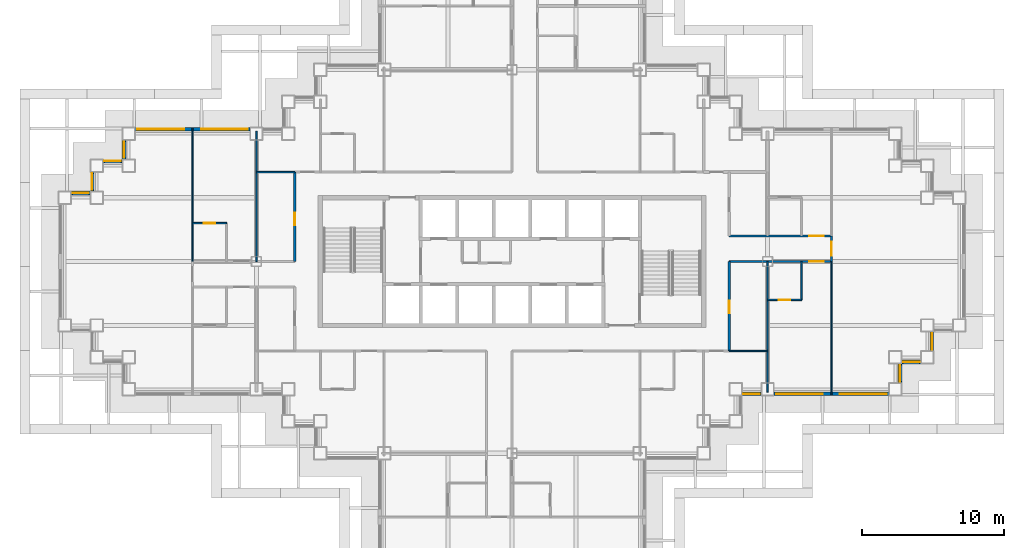
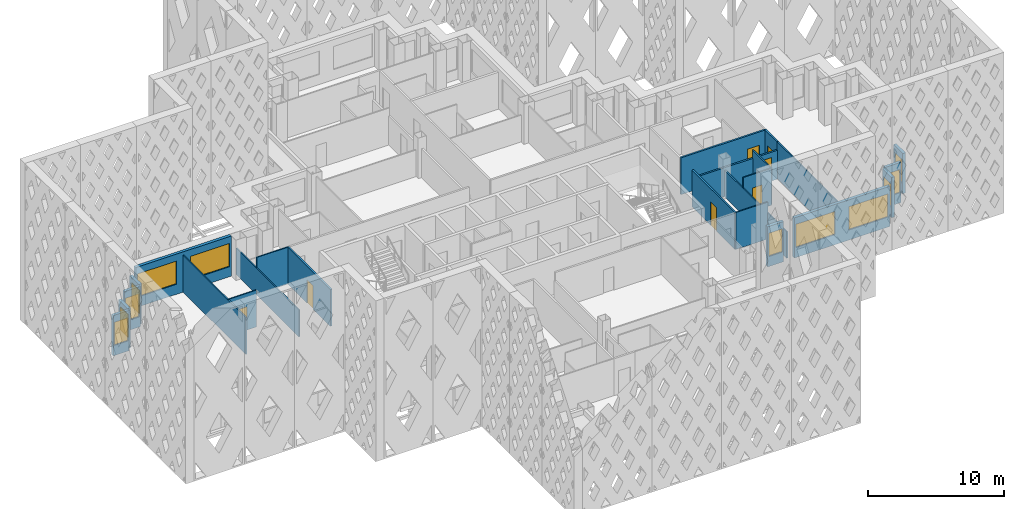
# One storey, part 6 of 21: 24 walls, 12 windows, 7 doors, 19 openings.
"""IFC4 building model written with IfcOpenShell, lengths in metres."""

from ifc_helpers import new_model, si_unit, direction, frame, frame_2d, origin, place, context, subcontext, project, spatial, rectangle, extrude, material, layer, layer_set, type_object, element, fill, save


model = new_model("IFC4")

# Units and contexts
model_context = context("Model", 3, precision=1e-05, world=origin(), true_north=direction((0.0, 1.0)))
body_context = subcontext(model_context, "Body", "Model", "MODEL_VIEW")
ifc_project = project(units=[si_unit("LENGTHUNIT", "METRE"), si_unit("AREAUNIT", "SQUARE_METRE"), si_unit("VOLUMEUNIT", "CUBIC_METRE"), si_unit("PLANEANGLEUNIT", "RADIAN"), si_unit("MASSUNIT", "GRAM", prefix="KILO")], contexts=[model_context])

# Site, building, storey
site_placement = place(None, origin())
site = spatial("IfcSite", under=ifc_project, at=site_placement, CompositionType="ELEMENT")
building_placement = place(site_placement, origin())
building = spatial("IfcBuilding", under=site, at=building_placement, Name="Caravel Reach Hotel and Residences", CompositionType="ELEMENT")
storey_placement = place(building_placement, frame((0.0, 0.0, 115.199951171875)))
storey = spatial("IfcBuildingStorey", under=building, at=storey_placement, Name="L28", CompositionType="ELEMENT", Elevation=115.199951171875)

# Wall, opening, door
ifc_material_1 = material(Name="Gypsum board on steel stud", Category="steel")
ifc_layer_1 = layer(ifc_material_1, 0.10009765625)
ifc_layer_set_1 = layer_set([ifc_layer_1], Name="Bathroom pod wall 100 mm")
wall_type_1 = type_object("IfcWallType", Name="Bathroom pod wall 100 mm", PredefinedType="PARTITIONING", material=ifc_layer_set_1)
wall_1_placement = place(storey_placement, frame((49.5, 24.300048828125, 0.0), z_axis=(0.0, 0.0, 1.0), x_axis=(1.0, 0.0, 0.0)))
wall_1 = element("IfcWall", 1, at=wall_1_placement, inside=storey, type_object=wall_type_1, Name="L28 wall w072", PredefinedType="PARTITIONING", context=body_context, shape_type="SweptSolid", body=[
    extrude(rectangle(XDim=2.39990234375, YDim=0.10009765625, at=frame_2d((1.199951171875, 0.0))), origin(), (0.0, 0.0, 1.0), 3.300048828125),
])
opening_1_placement = place(wall_1_placement, frame((0.800048828125, 0.0, 0.0)))
opening_1 = element("IfcOpeningElement", 2, at=opening_1_placement, cuts=wall_1, Name="Opening D28-021", PredefinedType="OPENING", context=body_context, shape_type="SweptSolid", body=[
    extrude(rectangle(XDim=0.800048828125, YDim=2.10009765625, at=frame_2d((0.39990234375, 1.050048828125))), frame((0.0, 0.06005859375, 0.0), z_axis=(0.0, -1.0, 0.0), x_axis=(1.0, 0.0, 0.0)), (0.0, 0.0, 1.0), 0.1201171875),
])
ifc_material_2 = material(Name="Timber and steel door leaf", Category="steel")
door_type_1 = type_object("IfcDoorType", Name="Bathroom door 800 x 2100", OperationType="SINGLE_SWING_LEFT", PredefinedType="DOOR", material=ifc_material_2)
door_1_placement = place(opening_1_placement, origin())
door_1 = element("IfcDoor", 3, at=door_1_placement, inside=storey, type_object=door_type_1, Name="door D28-021", OperationType="SINGLE_SWING_RIGHT", OverallHeight=2.10009765625, OverallWidth=0.800048828125, PredefinedType="DOOR", context=body_context, shape_type="SweptSolid", body=[
    extrude(rectangle(XDim=0.800048828125, YDim=2.10009765625, at=frame_2d((0.39990234375, 1.050048828125))), frame((0.0, 0.02490234375, 0.0), z_axis=(0.0, -1.0, 0.0), x_axis=(1.0, 0.0, 0.0)), (0.0, 0.0, 1.0), 0.050048828125),
])
fill(opening_1, door_1)

wall_2_placement = place(storey_placement, frame((9.0, 29.699951171875, 0.0), z_axis=(0.0, 0.0, 1.0), x_axis=(1.0, 0.0, 0.0)))
wall_2 = element("IfcWall", 4, at=wall_2_placement, inside=storey, type_object=wall_type_1, Name="L28 wall w073", PredefinedType="PARTITIONING", context=body_context, shape_type="SweptSolid", body=[
    extrude(rectangle(XDim=2.39990234375, YDim=0.10009765625, at=frame_2d((1.199951171875, 0.0))), origin(), (0.0, 0.0, 1.0), 3.300048828125),
])
opening_2_placement = place(wall_2_placement, frame((0.800048828125, 0.0, 0.0)))
opening_2 = element("IfcOpeningElement", 5, at=opening_2_placement, cuts=wall_2, Name="Opening D28-019", PredefinedType="OPENING", context=body_context, shape_type="SweptSolid", body=[
    extrude(rectangle(XDim=0.800048828125, YDim=2.10009765625, at=frame_2d((0.39990234375, 1.050048828125))), frame((0.0, 0.06005859375, 0.0), z_axis=(0.0, -1.0, 0.0), x_axis=(1.0, 0.0, 0.0)), (0.0, 0.0, 1.0), 0.1201171875),
])
door_2_placement = place(opening_2_placement, origin())
door_2 = element("IfcDoor", 6, at=door_2_placement, inside=storey, type_object=door_type_1, Name="door D28-019", OperationType="SINGLE_SWING_LEFT", OverallHeight=2.10009765625, OverallWidth=0.800048828125, PredefinedType="DOOR", context=body_context, shape_type="SweptSolid", body=[
    extrude(rectangle(XDim=0.800048828125, YDim=2.10009765625, at=frame_2d((0.39990234375, 1.050048828125))), frame((0.0, 0.02490234375, 0.0), z_axis=(0.0, -1.0, 0.0), x_axis=(1.0, 0.0, 0.0)), (0.0, 0.0, 1.0), 0.050048828125),
])
fill(opening_2, door_2)

# Wall
wall_3_placement = place(storey_placement, frame((51.89990234375, 24.300048828125, 0.0), z_axis=(0.0, 0.0, 1.0), x_axis=(0.0, 1.0, 0.0)))
element("IfcWall", 7, at=wall_3_placement, inside=storey, type_object=wall_type_1, Name="L28 wall w093", PredefinedType="PARTITIONING", context=body_context, shape_type="SweptSolid", body=[
    extrude(rectangle(XDim=2.699951171875, YDim=0.10009765625, at=frame_2d((1.35009765625, 0.0))), origin(), (0.0, 0.0, 1.0), 3.300048828125),
])

# Wall, opening, door
ifc_material_3 = material(Name="Gypsum board on steel stud, fire-rated", Category="steel")
ifc_layer_2 = layer(ifc_material_3, 0.14990234375)
ifc_layer_set_2 = layer_set([ifc_layer_2], Name="Corridor wall 150 mm EI 60")
wall_type_2 = type_object("IfcWallType", Name="Corridor wall 150 mm EI 60", PredefinedType="PARTITIONING", material=ifc_layer_set_2)
wall_4_placement = place(storey_placement, frame((46.800048828125, 27.0, 0.0), z_axis=(0.0, 0.0, 1.0), x_axis=(1.0, 0.0, 0.0)))
wall_4 = element("IfcWall", 8, at=wall_4_placement, inside=storey, type_object=wall_type_2, Name="L28 wall w010", PredefinedType="PARTITIONING", context=body_context, shape_type="SweptSolid", body=[
    extrude(rectangle(XDim=7.199951171875, YDim=0.14990234375, at=frame_2d((3.60009765625, 0.0))), origin(), (0.0, 0.0, 1.0), 2.580078125),
])
opening_3_placement = place(wall_4_placement, frame((5.64990234375, 0.0, 0.0)))
opening_3 = element("IfcOpeningElement", 9, at=opening_3_placement, cuts=wall_4, Name="Opening D28-020", PredefinedType="OPENING", context=body_context, shape_type="SweptSolid", body=[
    extrude(rectangle(XDim=1.0, YDim=2.10009765625, at=frame_2d((0.5, 1.050048828125))), frame((0.0, 0.0849609375, 0.0), z_axis=(0.0, -1.0, 0.0), x_axis=(1.0, 0.0, 0.0)), (0.0, 0.0, 1.0), 0.169921875),
])
ifc_material_4 = material(Name="Steel fire door leaf", Category="steel")
door_type_2 = type_object("IfcDoorType", Name="Guest room door 1000 x 2100 EI 30", OperationType="SINGLE_SWING_LEFT", PredefinedType="DOOR", material=ifc_material_4)
door_3_placement = place(opening_3_placement, origin())
door_3 = element("IfcDoor", 10, at=door_3_placement, inside=storey, type_object=door_type_2, Name="door D28-020", OperationType="SINGLE_SWING_RIGHT", OverallHeight=2.10009765625, OverallWidth=1.0, PredefinedType="DOOR", context=body_context, shape_type="SweptSolid", body=[
    extrude(rectangle(XDim=1.0, YDim=2.10009765625, at=frame_2d((0.5, 1.050048828125))), frame((0.0, 0.02490234375, 0.0), z_axis=(0.0, -1.0, 0.0), x_axis=(1.0, 0.0, 0.0)), (0.0, 0.0, 1.0), 0.050048828125),
])
fill(opening_3, door_3)

wall_5_placement = place(storey_placement, frame((46.800048828125, 28.800048828125, 0.0), z_axis=(0.0, 0.0, 1.0), x_axis=(1.0, 0.0, 0.0)))
wall_5 = element("IfcWall", 11, at=wall_5_placement, inside=storey, type_object=wall_type_2, Name="L28 wall w013", PredefinedType="PARTITIONING", context=body_context, shape_type="SweptSolid", body=[
    extrude(rectangle(XDim=7.199951171875, YDim=0.14990234375, at=frame_2d((3.60009765625, 0.0))), origin(), (0.0, 0.0, 1.0), 3.300048828125),
])
opening_4_placement = place(wall_5_placement, frame((5.64990234375, 0.0, 0.0)))
opening_4 = element("IfcOpeningElement", 12, at=opening_4_placement, cuts=wall_5, Name="Opening D28-022", PredefinedType="OPENING", context=body_context, shape_type="SweptSolid", body=[
    extrude(rectangle(XDim=1.0, YDim=2.10009765625, at=frame_2d((0.5, 1.050048828125))), frame((0.0, 0.0849609375, 0.0), z_axis=(0.0, -1.0, 0.0), x_axis=(1.0, 0.0, 0.0)), (0.0, 0.0, 1.0), 0.169921875),
])
door_4_placement = place(opening_4_placement, origin())
door_4 = element("IfcDoor", 13, at=door_4_placement, inside=storey, type_object=door_type_2, Name="door D28-022", OperationType="SINGLE_SWING_RIGHT", OverallHeight=2.10009765625, OverallWidth=1.0, PredefinedType="DOOR", context=body_context, shape_type="SweptSolid", body=[
    extrude(rectangle(XDim=1.0, YDim=2.10009765625, at=frame_2d((0.5, 1.050048828125))), frame((0.0, 0.02490234375, 0.0), z_axis=(0.0, -1.0, 0.0), x_axis=(1.0, 0.0, 0.0)), (0.0, 0.0, 1.0), 0.050048828125),
])
fill(opening_4, door_4)

wall_6_placement = place(storey_placement, frame((16.199951171875, 27.0, 0.0), z_axis=(0.0, 0.0, 1.0), x_axis=(0.0, 1.0, 0.0)))
wall_6 = element("IfcWall", 14, at=wall_6_placement, inside=storey, type_object=wall_type_2, Name="L28 wall w021", PredefinedType="PARTITIONING", context=body_context, shape_type="SweptSolid", body=[
    extrude(rectangle(XDim=6.300048828125, YDim=0.14990234375, at=frame_2d((3.14990234375, 0.0))), origin(), (0.0, 0.0, 1.0), 3.300048828125),
])
opening_5_placement = place(wall_6_placement, frame((2.550048828125, 0.0, 0.0)))
opening_5 = element("IfcOpeningElement", 15, at=opening_5_placement, cuts=wall_6, Name="Opening D28-055", PredefinedType="OPENING", context=body_context, shape_type="SweptSolid", body=[
    extrude(rectangle(XDim=0.89990234375, YDim=2.10009765625, at=frame_2d((0.449951171875, 1.050048828125))), frame((0.0, 0.0849609375, 0.0), z_axis=(0.0, -1.0, 0.0), x_axis=(1.0, 0.0, 0.0)), (0.0, 0.0, 1.0), 0.169921875),
])
ifc_material_5 = material(Name="Timber and steel door leaf", Category="steel")
door_type_3 = type_object("IfcDoorType", Name="Door 900 x 2100 timber", OperationType="SINGLE_SWING_LEFT", PredefinedType="DOOR", material=ifc_material_5)
door_5_placement = place(opening_5_placement, origin())
door_5 = element("IfcDoor", 16, at=door_5_placement, inside=storey, type_object=door_type_3, Name="door D28-055", OperationType="SINGLE_SWING_LEFT", OverallHeight=2.10009765625, OverallWidth=0.89990234375, PredefinedType="DOOR", context=body_context, shape_type="SweptSolid", body=[
    extrude(rectangle(XDim=0.89990234375, YDim=2.10009765625, at=frame_2d((0.449951171875, 1.050048828125))), frame((0.0, 0.02490234375, 0.0), z_axis=(0.0, -1.0, 0.0), x_axis=(1.0, 0.0, 0.0)), (0.0, 0.0, 1.0), 0.050048828125),
])
fill(opening_5, door_5)

wall_7_placement = place(storey_placement, frame((46.800048828125, 20.699951171875, 0.0), z_axis=(0.0, 0.0, 1.0), x_axis=(0.0, 1.0, 0.0)))
wall_7 = element("IfcWall", 17, at=wall_7_placement, inside=storey, type_object=wall_type_2, Name="L28 wall w034", PredefinedType="PARTITIONING", context=body_context, shape_type="SweptSolid", body=[
    extrude(rectangle(XDim=6.300048828125, YDim=0.14990234375, at=frame_2d((3.14990234375, 0.0))), origin(), (0.0, 0.0, 1.0), 3.300048828125),
])
opening_6_placement = place(wall_7_placement, frame((2.64990234375, 0.0, 0.0)))
opening_6 = element("IfcOpeningElement", 18, at=opening_6_placement, cuts=wall_7, Name="Opening D28-056", PredefinedType="OPENING", context=body_context, shape_type="SweptSolid", body=[
    extrude(rectangle(XDim=0.89990234375, YDim=2.10009765625, at=frame_2d((0.449951171875, 1.050048828125))), frame((0.0, 0.0849609375, 0.0), z_axis=(0.0, -1.0, 0.0), x_axis=(1.0, 0.0, 0.0)), (0.0, 0.0, 1.0), 0.169921875),
])
door_6_placement = place(opening_6_placement, origin())
door_6 = element("IfcDoor", 19, at=door_6_placement, inside=storey, type_object=door_type_3, Name="door D28-056", OperationType="SINGLE_SWING_RIGHT", OverallHeight=2.10009765625, OverallWidth=0.89990234375, PredefinedType="DOOR", context=body_context, shape_type="SweptSolid", body=[
    extrude(rectangle(XDim=0.89990234375, YDim=2.10009765625, at=frame_2d((0.449951171875, 1.050048828125))), frame((0.0, 0.02490234375, 0.0), z_axis=(0.0, -1.0, 0.0), x_axis=(1.0, 0.0, 0.0)), (0.0, 0.0, 1.0), 0.050048828125),
])
fill(opening_6, door_6)

wall_8_placement = place(storey_placement, frame((54.0, 27.0, 0.0), z_axis=(0.0, 0.0, 1.0), x_axis=(0.0, 1.0, 0.0)))
wall_8 = element("IfcWall", 20, at=wall_8_placement, inside=storey, type_object=wall_type_2, Name="L28 wall w035", PredefinedType="PARTITIONING", context=body_context, shape_type="SweptSolid", body=[
    extrude(rectangle(XDim=1.800048828125, YDim=0.14990234375, at=frame_2d((0.89990234375, 0.0))), origin(), (0.0, 0.0, 1.0), 3.300048828125),
])
opening_7_placement = place(wall_8_placement, frame((0.39990234375, 0.0, 0.0)))
opening_7 = element("IfcOpeningElement", 21, at=opening_7_placement, cuts=wall_8, Name="Opening D28-036", PredefinedType="OPENING", context=body_context, shape_type="SweptSolid", body=[
    extrude(rectangle(XDim=1.0, YDim=2.10009765625, at=frame_2d((0.5, 1.050048828125))), frame((0.0, 0.0849609375, 0.0), z_axis=(0.0, -1.0, 0.0), x_axis=(1.0, 0.0, 0.0)), (0.0, 0.0, 1.0), 0.169921875),
])
door_7_placement = place(opening_7_placement, origin())
door_7 = element("IfcDoor", 22, at=door_7_placement, inside=storey, type_object=door_type_2, Name="door D28-036", OperationType="SINGLE_SWING_RIGHT", OverallHeight=2.10009765625, OverallWidth=1.0, PredefinedType="DOOR", context=body_context, shape_type="SweptSolid", body=[
    extrude(rectangle(XDim=1.0, YDim=2.10009765625, at=frame_2d((0.5, 1.050048828125))), frame((0.0, 0.02490234375, 0.0), z_axis=(0.0, -1.0, 0.0), x_axis=(1.0, 0.0, 0.0)), (0.0, 0.0, 1.0), 0.050048828125),
])
fill(opening_7, door_7)

# Wall, opening, window
ifc_material_6 = material(Name="Insulated rainscreen wall, aluminium cladding", Category="aluminium")
ifc_layer_3 = layer(ifc_material_6, 0.25)
ifc_layer_set_3 = layer_set([ifc_layer_3], Name="EW1 Tower rainscreen wall")
wall_type_3 = type_object("IfcWallType", Name="EW1 Tower rainscreen wall", PredefinedType="SOLIDWALL", material=ifc_layer_set_3)
wall_9_placement = place(storey_placement, frame((47.699951171875, 17.675048828125, 0.0), z_axis=(0.0, 0.0, 1.0), x_axis=(1.0, 0.0, 0.0)))
wall_9 = element("IfcWall", 23, at=wall_9_placement, inside=storey, type_object=wall_type_3, Name="External wall L28 S15.1", PredefinedType="SOLIDWALL", context=body_context, shape_type="SweptSolid", body=[
    extrude(rectangle(XDim=1.35009765625, YDim=0.25, at=frame_2d((0.675048828125, 0.0))), origin(), (0.0, 0.0, 1.0), 3.60009765625),
])
opening_8_placement = place(wall_9_placement, frame((0.10009765625, 0.0, 0.89990234375)))
opening_8 = element("IfcOpeningElement", 24, at=opening_8_placement, cuts=wall_9, Name="Opening WN8", PredefinedType="OPENING", context=body_context, shape_type="SweptSolid", body=[
    extrude(rectangle(XDim=1.14990234375, YDim=2.080078125, at=frame_2d((0.574951171875, 1.0400390625))), frame((0.0, 0.135009765625, 0.0), z_axis=(0.0, -1.0, 0.0), x_axis=(1.0, 0.0, 0.0)), (0.0, 0.0, 1.0), 0.27001953125),
])
ifc_material_7 = material(Name="Dark low-e glazing in black aluminium frame", Category="aluminium")
window_type_1 = type_object("IfcWindowType", Name="Hotel suite corner window 1150 x 2080", PartitioningType="SINGLE_PANEL", PredefinedType="WINDOW", material=ifc_material_7)
window_1_placement = place(opening_8_placement, origin())
window_1 = element("IfcWindow", 25, at=window_1_placement, inside=storey, type_object=window_type_1, Name="Window L28 S15.1.1", OverallHeight=2.080078125, OverallWidth=1.14990234375, PartitioningType="SINGLE_PANEL", PredefinedType="WINDOW", context=body_context, shape_type="SweptSolid", body=[
    extrude(rectangle(XDim=1.14990234375, YDim=2.080078125, at=frame_2d((0.574951171875, 1.0400390625))), frame((0.0, 0.030029296875, 0.0), z_axis=(0.0, -1.0, 0.0), x_axis=(1.0, 0.0, 0.0)), (0.0, 0.0, 1.0), 0.06005859375),
])
fill(opening_8, window_1)

# Wall, openings, windows
wall_10_placement = place(storey_placement, frame((49.949951171875, 17.675048828125, 0.0), z_axis=(0.0, 0.0, 1.0), x_axis=(1.0, 0.0, 0.0)))
wall_10 = element("IfcWall", 26, at=wall_10_placement, inside=storey, type_object=wall_type_3, Name="External wall L28 S15.2", PredefinedType="SOLIDWALL", context=body_context, shape_type="SweptSolid", body=[
    extrude(rectangle(XDim=8.10009765625, YDim=0.25, at=frame_2d((4.050048828125, 0.0))), origin(), (0.0, 0.0, 1.0), 3.60009765625),
])
opening_9_placement = place(wall_10_placement, frame((0.14990234375, 0.0, 0.89990234375)))
opening_9 = element("IfcOpeningElement", 27, at=opening_9_placement, cuts=wall_10, Name="Opening WN4", PredefinedType="OPENING", context=body_context, shape_type="SweptSolid", body=[
    extrude(rectangle(XDim=3.300048828125, YDim=2.080078125, at=frame_2d((1.64990234375, 1.0400390625))), frame((0.0, 0.135009765625, 0.0), z_axis=(0.0, -1.0, 0.0), x_axis=(1.0, 0.0, 0.0)), (0.0, 0.0, 1.0), 0.27001953125),
])
opening_10_placement = place(wall_10_placement, frame((4.64990234375, 0.0, 0.89990234375)))
opening_10 = element("IfcOpeningElement", 28, at=opening_10_placement, cuts=wall_10, Name="Opening WN4", PredefinedType="OPENING", context=body_context, shape_type="SweptSolid", body=[
    extrude(rectangle(XDim=3.300048828125, YDim=2.080078125, at=frame_2d((1.64990234375, 1.0400390625))), frame((0.0, 0.135009765625, 0.0), z_axis=(0.0, -1.0, 0.0), x_axis=(1.0, 0.0, 0.0)), (0.0, 0.0, 1.0), 0.27001953125),
])
ifc_material_8 = material(Name="Dark low-e glazing in black aluminium frame", Category="aluminium")
window_type_2 = type_object("IfcWindowType", Name="Hotel guest room window 3300 x 2080", PartitioningType="SINGLE_PANEL", PredefinedType="WINDOW", material=ifc_material_8)
window_2_placement = place(opening_9_placement, origin())
window_2 = element("IfcWindow", 29, at=window_2_placement, inside=storey, type_object=window_type_2, Name="Window L28 S15.2.1", OverallHeight=2.080078125, OverallWidth=3.300048828125, PartitioningType="SINGLE_PANEL", PredefinedType="WINDOW", context=body_context, shape_type="SweptSolid", body=[
    extrude(rectangle(XDim=3.300048828125, YDim=2.080078125, at=frame_2d((1.64990234375, 1.0400390625))), frame((0.0, 0.030029296875, 0.0), z_axis=(0.0, -1.0, 0.0), x_axis=(1.0, 0.0, 0.0)), (0.0, 0.0, 1.0), 0.06005859375),
])
fill(opening_9, window_2)
window_3_placement = place(opening_10_placement, origin())
window_3 = element("IfcWindow", 30, at=window_3_placement, inside=storey, type_object=window_type_2, Name="Window L28 S15.2.2", OverallHeight=2.080078125, OverallWidth=3.300048828125, PartitioningType="SINGLE_PANEL", PredefinedType="WINDOW", context=body_context, shape_type="SweptSolid", body=[
    extrude(rectangle(XDim=3.300048828125, YDim=2.080078125, at=frame_2d((1.64990234375, 1.0400390625))), frame((0.0, 0.030029296875, 0.0), z_axis=(0.0, -1.0, 0.0), x_axis=(1.0, 0.0, 0.0)), (0.0, 0.0, 1.0), 0.06005859375),
])
fill(opening_10, window_3)

# Wall, opening, window
wall_11_placement = place(storey_placement, frame((58.824951171875, 18.449951171875, 0.0), z_axis=(0.0, 0.0, 1.0), x_axis=(0.0, 1.0, 0.0)))
wall_11 = element("IfcWall", 31, at=wall_11_placement, inside=storey, type_object=wall_type_3, Name="External wall L28 E16.1", PredefinedType="SOLIDWALL", context=body_context, shape_type="SweptSolid", body=[
    extrude(rectangle(XDim=1.35009765625, YDim=0.25, at=frame_2d((0.675048828125, 0.0))), origin(), (0.0, 0.0, 1.0), 3.60009765625),
])
opening_11_placement = place(wall_11_placement, frame((0.10009765625, 0.0, 0.89990234375)))
opening_11 = element("IfcOpeningElement", 32, at=opening_11_placement, cuts=wall_11, Name="Opening WN8", PredefinedType="OPENING", context=body_context, shape_type="SweptSolid", body=[
    extrude(rectangle(XDim=1.14990234375, YDim=2.080078125, at=frame_2d((0.574951171875, 1.0400390625))), frame((0.0, 0.135009765625, 0.0), z_axis=(0.0, -1.0, 0.0), x_axis=(1.0, 0.0, 0.0)), (0.0, 0.0, 1.0), 0.27001953125),
])
window_4_placement = place(opening_11_placement, origin())
window_4 = element("IfcWindow", 33, at=window_4_placement, inside=storey, type_object=window_type_1, Name="Window L28 E16.1.1", OverallHeight=2.080078125, OverallWidth=1.14990234375, PartitioningType="SINGLE_PANEL", PredefinedType="WINDOW", context=body_context, shape_type="SweptSolid", body=[
    extrude(rectangle(XDim=1.14990234375, YDim=2.080078125, at=frame_2d((0.574951171875, 1.0400390625))), frame((0.0, 0.030029296875, 0.0), z_axis=(0.0, -1.0, 0.0), x_axis=(1.0, 0.0, 0.0)), (0.0, 0.0, 1.0), 0.06005859375),
])
fill(opening_11, window_4)

wall_12_placement = place(storey_placement, frame((58.949951171875, 19.925048828125, 0.0), z_axis=(0.0, 0.0, 1.0), x_axis=(1.0, 0.0, 0.0)))
wall_12 = element("IfcWall", 34, at=wall_12_placement, inside=storey, type_object=wall_type_3, Name="External wall L28 S17.1", PredefinedType="SOLIDWALL", context=body_context, shape_type="SweptSolid", body=[
    extrude(rectangle(XDim=1.35009765625, YDim=0.25, at=frame_2d((0.675048828125, 0.0))), origin(), (0.0, 0.0, 1.0), 3.60009765625),
])
opening_12_placement = place(wall_12_placement, frame((0.10009765625, 0.0, 0.89990234375)))
opening_12 = element("IfcOpeningElement", 35, at=opening_12_placement, cuts=wall_12, Name="Opening WN8", PredefinedType="OPENING", context=body_context, shape_type="SweptSolid", body=[
    extrude(rectangle(XDim=1.14990234375, YDim=2.080078125, at=frame_2d((0.574951171875, 1.0400390625))), frame((0.0, 0.135009765625, 0.0), z_axis=(0.0, -1.0, 0.0), x_axis=(1.0, 0.0, 0.0)), (0.0, 0.0, 1.0), 0.27001953125),
])
window_5_placement = place(opening_12_placement, origin())
window_5 = element("IfcWindow", 36, at=window_5_placement, inside=storey, type_object=window_type_1, Name="Window L28 S17.1.1", OverallHeight=2.080078125, OverallWidth=1.14990234375, PartitioningType="SINGLE_PANEL", PredefinedType="WINDOW", context=body_context, shape_type="SweptSolid", body=[
    extrude(rectangle(XDim=1.14990234375, YDim=2.080078125, at=frame_2d((0.574951171875, 1.0400390625))), frame((0.0, 0.030029296875, 0.0), z_axis=(0.0, -1.0, 0.0), x_axis=(1.0, 0.0, 0.0)), (0.0, 0.0, 1.0), 0.06005859375),
])
fill(opening_12, window_5)

wall_13_placement = place(storey_placement, frame((61.074951171875, 20.699951171875, 0.0), z_axis=(0.0, 0.0, 1.0), x_axis=(0.0, 1.0, 0.0)))
wall_13 = element("IfcWall", 37, at=wall_13_placement, inside=storey, type_object=wall_type_3, Name="External wall L28 E18.1", PredefinedType="SOLIDWALL", context=body_context, shape_type="SweptSolid", body=[
    extrude(rectangle(XDim=1.35009765625, YDim=0.25, at=frame_2d((0.675048828125, 0.0))), origin(), (0.0, 0.0, 1.0), 3.60009765625),
])
opening_13_placement = place(wall_13_placement, frame((0.10009765625, 0.0, 0.89990234375)))
opening_13 = element("IfcOpeningElement", 38, at=opening_13_placement, cuts=wall_13, Name="Opening WN8", PredefinedType="OPENING", context=body_context, shape_type="SweptSolid", body=[
    extrude(rectangle(XDim=1.14990234375, YDim=2.080078125, at=frame_2d((0.574951171875, 1.0400390625))), frame((0.0, 0.135009765625, 0.0), z_axis=(0.0, -1.0, 0.0), x_axis=(1.0, 0.0, 0.0)), (0.0, 0.0, 1.0), 0.27001953125),
])
window_6_placement = place(opening_13_placement, origin())
window_6 = element("IfcWindow", 39, at=window_6_placement, inside=storey, type_object=window_type_1, Name="Window L28 E18.1.1", OverallHeight=2.080078125, OverallWidth=1.14990234375, PartitioningType="SINGLE_PANEL", PredefinedType="WINDOW", context=body_context, shape_type="SweptSolid", body=[
    extrude(rectangle(XDim=1.14990234375, YDim=2.080078125, at=frame_2d((0.574951171875, 1.0400390625))), frame((0.0, 0.030029296875, 0.0), z_axis=(0.0, -1.0, 0.0), x_axis=(1.0, 0.0, 0.0)), (0.0, 0.0, 1.0), 0.06005859375),
])
fill(opening_13, window_6)

# Wall, openings, windows
wall_14_placement = place(storey_placement, frame((13.050048828125, 36.324951171875, 0.0), z_axis=(0.0, 0.0, 1.0), x_axis=(-1.0, 0.0, 0.0)))
wall_14 = element("IfcWall", 40, at=wall_14_placement, inside=storey, type_object=wall_type_3, Name="External wall L28 N45.2", PredefinedType="SOLIDWALL", context=body_context, shape_type="SweptSolid", body=[
    extrude(rectangle(XDim=8.10009765625, YDim=0.25, at=frame_2d((4.050048828125, 0.0))), origin(), (0.0, 0.0, 1.0), 3.60009765625),
])
opening_14_placement = place(wall_14_placement, frame((0.14990234375, 0.0, 0.89990234375)))
opening_14 = element("IfcOpeningElement", 41, at=opening_14_placement, cuts=wall_14, Name="Opening WN4", PredefinedType="OPENING", context=body_context, shape_type="SweptSolid", body=[
    extrude(rectangle(XDim=3.300048828125, YDim=2.080078125, at=frame_2d((1.64990234375, 1.0400390625))), frame((0.0, 0.135009765625, 0.0), z_axis=(0.0, -1.0, 0.0), x_axis=(1.0, 0.0, 0.0)), (0.0, 0.0, 1.0), 0.27001953125),
])
opening_15_placement = place(wall_14_placement, frame((4.64990234375, 0.0, 0.89990234375)))
opening_15 = element("IfcOpeningElement", 42, at=opening_15_placement, cuts=wall_14, Name="Opening WN4", PredefinedType="OPENING", context=body_context, shape_type="SweptSolid", body=[
    extrude(rectangle(XDim=3.300048828125, YDim=2.080078125, at=frame_2d((1.64990234375, 1.0400390625))), frame((0.0, 0.135009765625, 0.0), z_axis=(0.0, -1.0, 0.0), x_axis=(1.0, 0.0, 0.0)), (0.0, 0.0, 1.0), 0.27001953125),
])
window_7_placement = place(opening_14_placement, origin())
window_7 = element("IfcWindow", 43, at=window_7_placement, inside=storey, type_object=window_type_2, Name="Window L28 N45.2.1", OverallHeight=2.080078125, OverallWidth=3.300048828125, PartitioningType="SINGLE_PANEL", PredefinedType="WINDOW", context=body_context, shape_type="SweptSolid", body=[
    extrude(rectangle(XDim=3.300048828125, YDim=2.080078125, at=frame_2d((1.64990234375, 1.0400390625))), frame((0.0, 0.030029296875, 0.0), z_axis=(0.0, -1.0, 0.0), x_axis=(1.0, 0.0, 0.0)), (0.0, 0.0, 1.0), 0.06005859375),
])
fill(opening_14, window_7)
window_8_placement = place(opening_15_placement, origin())
window_8 = element("IfcWindow", 44, at=window_8_placement, inside=storey, type_object=window_type_2, Name="Window L28 N45.2.2", OverallHeight=2.080078125, OverallWidth=3.300048828125, PartitioningType="SINGLE_PANEL", PredefinedType="WINDOW", context=body_context, shape_type="SweptSolid", body=[
    extrude(rectangle(XDim=3.300048828125, YDim=2.080078125, at=frame_2d((1.64990234375, 1.0400390625))), frame((0.0, 0.030029296875, 0.0), z_axis=(0.0, -1.0, 0.0), x_axis=(1.0, 0.0, 0.0)), (0.0, 0.0, 1.0), 0.06005859375),
])
fill(opening_15, window_8)

# Wall, opening, window
wall_15_placement = place(storey_placement, frame((4.175048828125, 35.550048828125, 0.0), z_axis=(0.0, 0.0, 1.0), x_axis=(0.0, -1.0, 0.0)))
wall_15 = element("IfcWall", 45, at=wall_15_placement, inside=storey, type_object=wall_type_3, Name="External wall L28 W46.1", PredefinedType="SOLIDWALL", context=body_context, shape_type="SweptSolid", body=[
    extrude(rectangle(XDim=1.35009765625, YDim=0.25, at=frame_2d((0.675048828125, 0.0))), origin(), (0.0, 0.0, 1.0), 3.60009765625),
])
opening_16_placement = place(wall_15_placement, frame((0.10009765625, 0.0, 0.89990234375)))
opening_16 = element("IfcOpeningElement", 46, at=opening_16_placement, cuts=wall_15, Name="Opening WN8", PredefinedType="OPENING", context=body_context, shape_type="SweptSolid", body=[
    extrude(rectangle(XDim=1.14990234375, YDim=2.080078125, at=frame_2d((0.574951171875, 1.0400390625))), frame((0.0, 0.135009765625, 0.0), z_axis=(0.0, -1.0, 0.0), x_axis=(1.0, 0.0, 0.0)), (0.0, 0.0, 1.0), 0.27001953125),
])
window_9_placement = place(opening_16_placement, origin())
window_9 = element("IfcWindow", 47, at=window_9_placement, inside=storey, type_object=window_type_1, Name="Window L28 W46.1.1", OverallHeight=2.080078125, OverallWidth=1.14990234375, PartitioningType="SINGLE_PANEL", PredefinedType="WINDOW", context=body_context, shape_type="SweptSolid", body=[
    extrude(rectangle(XDim=1.14990234375, YDim=2.080078125, at=frame_2d((0.574951171875, 1.0400390625))), frame((0.0, 0.030029296875, 0.0), z_axis=(0.0, -1.0, 0.0), x_axis=(1.0, 0.0, 0.0)), (0.0, 0.0, 1.0), 0.06005859375),
])
fill(opening_16, window_9)

wall_16_placement = place(storey_placement, frame((4.050048828125, 34.074951171875, 0.0), z_axis=(0.0, 0.0, 1.0), x_axis=(-1.0, 0.0, 0.0)))
wall_16 = element("IfcWall", 48, at=wall_16_placement, inside=storey, type_object=wall_type_3, Name="External wall L28 N47.1", PredefinedType="SOLIDWALL", context=body_context, shape_type="SweptSolid", body=[
    extrude(rectangle(XDim=1.35009765625, YDim=0.25, at=frame_2d((0.675048828125, 0.0))), origin(), (0.0, 0.0, 1.0), 3.60009765625),
])
opening_17_placement = place(wall_16_placement, frame((0.10009765625, 0.0, 0.89990234375)))
opening_17 = element("IfcOpeningElement", 49, at=opening_17_placement, cuts=wall_16, Name="Opening WN8", PredefinedType="OPENING", context=body_context, shape_type="SweptSolid", body=[
    extrude(rectangle(XDim=1.14990234375, YDim=2.080078125, at=frame_2d((0.574951171875, 1.0400390625))), frame((0.0, 0.135009765625, 0.0), z_axis=(0.0, -1.0, 0.0), x_axis=(1.0, 0.0, 0.0)), (0.0, 0.0, 1.0), 0.27001953125),
])
window_10_placement = place(opening_17_placement, origin())
window_10 = element("IfcWindow", 50, at=window_10_placement, inside=storey, type_object=window_type_1, Name="Window L28 N47.1.1", OverallHeight=2.080078125, OverallWidth=1.14990234375, PartitioningType="SINGLE_PANEL", PredefinedType="WINDOW", context=body_context, shape_type="SweptSolid", body=[
    extrude(rectangle(XDim=1.14990234375, YDim=2.080078125, at=frame_2d((0.574951171875, 1.0400390625))), frame((0.0, 0.030029296875, 0.0), z_axis=(0.0, -1.0, 0.0), x_axis=(1.0, 0.0, 0.0)), (0.0, 0.0, 1.0), 0.06005859375),
])
fill(opening_17, window_10)

wall_17_placement = place(storey_placement, frame((1.925048828125, 33.300048828125, 0.0), z_axis=(0.0, 0.0, 1.0), x_axis=(0.0, -1.0, 0.0)))
wall_17 = element("IfcWall", 51, at=wall_17_placement, inside=storey, type_object=wall_type_3, Name="External wall L28 W48.1", PredefinedType="SOLIDWALL", context=body_context, shape_type="SweptSolid", body=[
    extrude(rectangle(XDim=1.35009765625, YDim=0.25, at=frame_2d((0.675048828125, 0.0))), origin(), (0.0, 0.0, 1.0), 3.60009765625),
])
opening_18_placement = place(wall_17_placement, frame((0.10009765625, 0.0, 0.89990234375)))
opening_18 = element("IfcOpeningElement", 52, at=opening_18_placement, cuts=wall_17, Name="Opening WN8", PredefinedType="OPENING", context=body_context, shape_type="SweptSolid", body=[
    extrude(rectangle(XDim=1.14990234375, YDim=2.080078125, at=frame_2d((0.574951171875, 1.0400390625))), frame((0.0, 0.135009765625, 0.0), z_axis=(0.0, -1.0, 0.0), x_axis=(1.0, 0.0, 0.0)), (0.0, 0.0, 1.0), 0.27001953125),
])
window_11_placement = place(opening_18_placement, origin())
window_11 = element("IfcWindow", 53, at=window_11_placement, inside=storey, type_object=window_type_1, Name="Window L28 W48.1.1", OverallHeight=2.080078125, OverallWidth=1.14990234375, PartitioningType="SINGLE_PANEL", PredefinedType="WINDOW", context=body_context, shape_type="SweptSolid", body=[
    extrude(rectangle(XDim=1.14990234375, YDim=2.080078125, at=frame_2d((0.574951171875, 1.0400390625))), frame((0.0, 0.030029296875, 0.0), z_axis=(0.0, -1.0, 0.0), x_axis=(1.0, 0.0, 0.0)), (0.0, 0.0, 1.0), 0.06005859375),
])
fill(opening_18, window_11)

wall_18_placement = place(storey_placement, frame((1.800048828125, 31.824951171875, 0.0), z_axis=(0.0, 0.0, 1.0), x_axis=(-1.0, 0.0, 0.0)))
wall_18 = element("IfcWall", 54, at=wall_18_placement, inside=storey, type_object=wall_type_3, Name="External wall L28 N49.1", PredefinedType="SOLIDWALL", context=body_context, shape_type="SweptSolid", body=[
    extrude(rectangle(XDim=1.35009765625, YDim=0.25, at=frame_2d((0.675048828125, 0.0))), origin(), (0.0, 0.0, 1.0), 3.60009765625),
])
opening_19_placement = place(wall_18_placement, frame((0.10009765625, 0.0, 0.89990234375)))
opening_19 = element("IfcOpeningElement", 55, at=opening_19_placement, cuts=wall_18, Name="Opening WN8", PredefinedType="OPENING", context=body_context, shape_type="SweptSolid", body=[
    extrude(rectangle(XDim=1.14990234375, YDim=2.080078125, at=frame_2d((0.574951171875, 1.0400390625))), frame((0.0, 0.135009765625, 0.0), z_axis=(0.0, -1.0, 0.0), x_axis=(1.0, 0.0, 0.0)), (0.0, 0.0, 1.0), 0.27001953125),
])
window_12_placement = place(opening_19_placement, origin())
window_12 = element("IfcWindow", 56, at=window_12_placement, inside=storey, type_object=window_type_1, Name="Window L28 N49.1.1", OverallHeight=2.080078125, OverallWidth=1.14990234375, PartitioningType="SINGLE_PANEL", PredefinedType="WINDOW", context=body_context, shape_type="SweptSolid", body=[
    extrude(rectangle(XDim=1.14990234375, YDim=2.080078125, at=frame_2d((0.574951171875, 1.0400390625))), frame((0.0, 0.030029296875, 0.0), z_axis=(0.0, -1.0, 0.0), x_axis=(1.0, 0.0, 0.0)), (0.0, 0.0, 1.0), 0.06005859375),
])
fill(opening_19, window_12)

# Walls
ifc_material_9 = material(Name="Gypsum board on steel stud", Category="steel")
ifc_layer_4 = layer(ifc_material_9, 0.10009765625)
ifc_layer_set_4 = layer_set([ifc_layer_4], Name="Partition 100 mm")
wall_type_4 = type_object("IfcWallType", Name="Partition 100 mm", PredefinedType="PARTITIONING", material=ifc_layer_set_4)
for number, where, z_axis, x_axis, name in (
    (57, (46.800048828125, 20.699951171875, 0.0), (0.0, 0.0, 1.0), (1.0, 0.0, 0.0), "L28 wall w040"),
    (58, (13.5, 33.300048828125, 0.0), (0.0, 0.0, 1.0), (1.0, 0.0, 0.0), "L28 wall w041"),
):
    element("IfcWall", number, at=place(storey_placement, frame(where, z_axis=z_axis, x_axis=x_axis)), inside=storey, type_object=wall_type_4, Name=name, PredefinedType="PARTITIONING", context=body_context, shape_type="SweptSolid", body=[
        extrude(rectangle(XDim=2.699951171875, YDim=0.10009765625, at=frame_2d((1.35009765625, 0.0))), origin(), (0.0, 0.0, 1.0), 3.300048828125),
    ])
for number, where, z_axis, x_axis, name in (
    (59, (13.5, 27.0, 0.0), (0.0, 0.0, 1.0), (0.0, 1.0, 0.0), "L28 wall w049"),
    (60, (49.5, 17.81005859375, 0.0), (0.0, 0.0, 1.0), (0.0, 1.0, 0.0), "L28 wall w060"),
):
    element("IfcWall", number, at=place(storey_placement, frame(where, z_axis=z_axis, x_axis=x_axis)), inside=storey, type_object=wall_type_4, Name=name, PredefinedType="PARTITIONING", context=body_context, shape_type="SweptSolid", body=[
        extrude(rectangle(XDim=9.18994140625, YDim=0.10009765625, at=frame_2d((4.594970703125, 0.0))), origin(), (0.0, 0.0, 1.0), 2.380126953125),
    ])
for number, where, z_axis, x_axis, name in (
    (61, (54.0, 17.610107421875, 0.0), (0.0, 0.0, 1.0), (0.0, 1.0, 0.0), "L28 wall w062"),
    (62, (9.0, 27.0, 0.0), (0.0, 0.0, 1.0), (0.0, 1.0, 0.0), "L28 wall w063"),
):
    element("IfcWall", number, at=place(storey_placement, frame(where, z_axis=z_axis, x_axis=x_axis)), inside=storey, type_object=wall_type_4, Name=name, PredefinedType="PARTITIONING", context=body_context, shape_type="SweptSolid", body=[
        extrude(rectangle(XDim=9.389892578125, YDim=0.10009765625, at=frame_2d((4.69482421875, 0.0))), origin(), (0.0, 0.0, 1.0), 3.300048828125),
    ])

save(model, "model.ifc")
